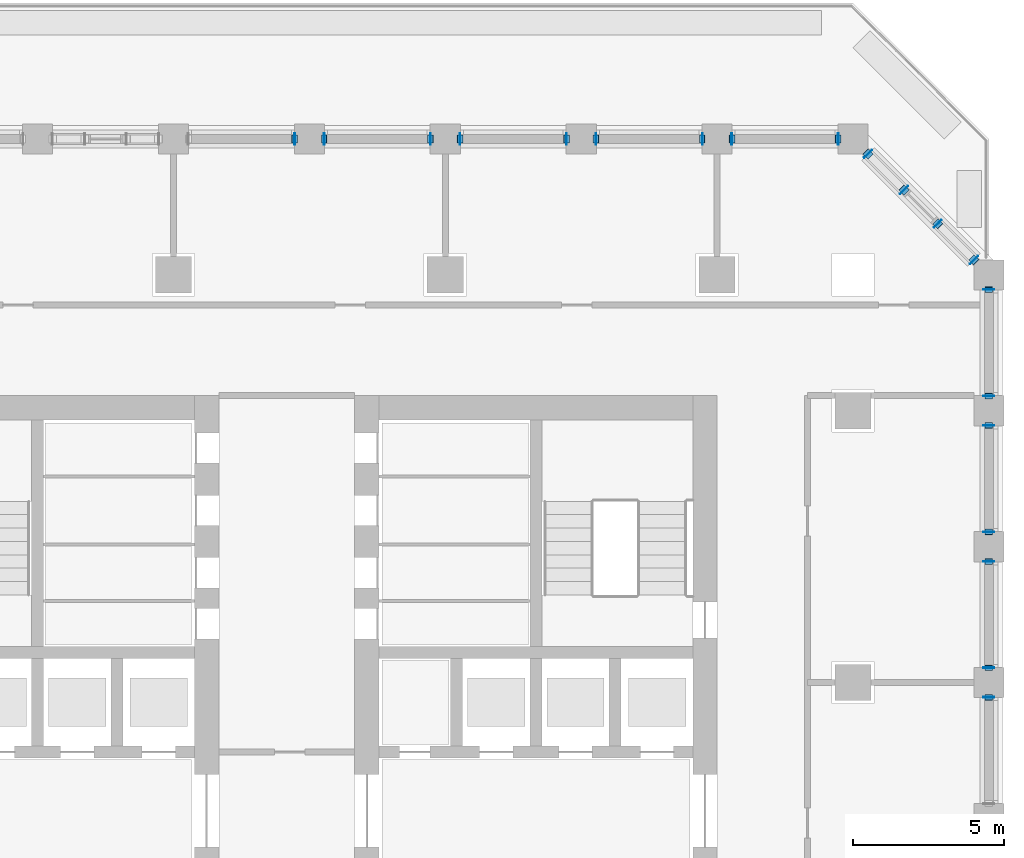
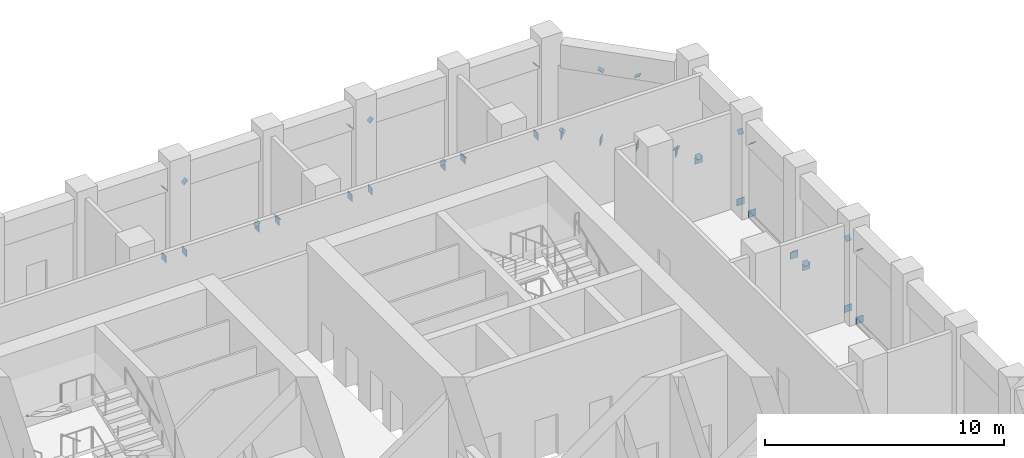
# One storey, part 12 of 20: 40 discrete accessories.
"""IFC4 building model written with IfcOpenShell, lengths in metres."""

import ifcopenshell
import ifcopenshell.guid

model = None  # the IFC model being written
_history = None  # IfcOwnerHistory: only IFC2X3 demands one
_inside = {}  # id of a spatial element -> (the spatial element, [elements in it])
_under = {}  # id of a project, library or spatial element -> (it, [spatial elements below it])
_declared = {}  # id of a project -> (the project, [libraries it declares])
_typed = {}  # id of a type object -> (the type object, [elements of that type])
_made_of = {}  # id of a material, layer set ... -> (it, [elements and type objects made of it])


def new_model(schema):
    """Start an empty IFC model of exactly this schema.

    Asked for "IFC4X3", IfcOpenShell would pick the latest addendum, in which some entities
    have other attributes; the version numbers below select the first issue.
    IFC2X3 requires an IfcOwnerHistory on every rooted entity: one is made here for all.
    """
    global model, _history
    if schema == "IFC4X3":
        model = ifcopenshell.file(schema_version=(4, 3, 0, 0))
    else:
        model = ifcopenshell.file(schema=schema)
    _inside.clear()
    _under.clear()
    _declared.clear()
    _typed.clear()
    _made_of.clear()
    _history = None
    if model.schema == "IFC2X3":
        org = make("IfcOrganization", Name="unknown")
        user = make(
            "IfcPersonAndOrganization",
            ThePerson=make("IfcPerson", FamilyName="unknown"),
            TheOrganization=org,
        )
        app = make(
            "IfcApplication",
            ApplicationDeveloper=org,
            Version="unknown",
            ApplicationFullName="unknown",
            ApplicationIdentifier="unknown",
        )
        _history = make(
            "IfcOwnerHistory",
            OwningUser=user,
            OwningApplication=app,
            ChangeAction="ADDED",
            CreationDate=0,
        )
    return model


def make(cls, **values):
    """One entity of the class cls with the attributes given. An attribute that is None is left unset."""
    return model.create_entity(
        cls, **{name: value for name, value in values.items() if value is not None}
    )


def rooted(cls, **values):
    """An entity with a GlobalId (a new one), such as an element, a storey or a relation."""
    return make(cls, GlobalId=ifcopenshell.guid.new(), OwnerHistory=_history, **values)


def si_unit(unit_type, name, prefix=None):
    """IfcSIUnit, for example si_unit("LENGTHUNIT", "METRE", prefix="MILLI")."""
    return make("IfcSIUnit", UnitType=unit_type, Prefix=prefix, Name=name)


def assignment(units):
    """IfcUnitAssignment: the units of a project."""
    return None if units is None else make("IfcUnitAssignment", Units=units)


def point(xyz):
    """IfcCartesianPoint."""
    return None if xyz is None else make("IfcCartesianPoint", Coordinates=xyz)


def direction(xyz):
    """IfcDirection."""
    return None if xyz is None else make("IfcDirection", DirectionRatios=xyz)


def frame(location, z_axis=None, x_axis=None):
    """IfcAxis2Placement3D, a coordinate frame: its origin and axes. An axis left out is left unset."""
    return make(
        "IfcAxis2Placement3D",
        Location=point(location),
        Axis=direction(z_axis),
        RefDirection=direction(x_axis),
    )


def frame_2d(location, x_axis=None):
    """IfcAxis2Placement2D, a coordinate frame in the plane: its origin and x axis."""
    return make(
        "IfcAxis2Placement2D", Location=point(location), RefDirection=direction(x_axis)
    )


def origin():
    """The frame at (0, 0, 0) with its axes left unset."""
    return frame((0.0, 0.0, 0.0))


def origin_2d():
    """The frame at (0, 0) in the plane with its x axis left unset."""
    return frame_2d((0.0, 0.0))


def place(relative_to, where):
    """IfcLocalPlacement: puts the frame where relative to a parent placement (None: the world)."""
    return make(
        "IfcLocalPlacement", PlacementRelTo=relative_to, RelativePlacement=where
    )


def context(
    kind, dimensions, precision=None, world=None, true_north=None, identifier=None
):
    """IfcGeometricRepresentationContext, for example the 3D "Model" context."""
    return make(
        "IfcGeometricRepresentationContext",
        ContextIdentifier=identifier,
        ContextType=kind,
        CoordinateSpaceDimension=dimensions,
        Precision=precision,
        WorldCoordinateSystem=world,
        TrueNorth=true_north,
    )


def subcontext(parent, identifier, kind, view, scale=None):
    """IfcGeometricRepresentationSubContext, for example "Body" below "Model"."""
    return make(
        "IfcGeometricRepresentationSubContext",
        ContextIdentifier=identifier,
        ContextType=kind,
        ParentContext=parent,
        TargetScale=scale,
        TargetView=view,
    )


def project(units=None, contexts=None):
    """IfcProject with its units and contexts."""
    return rooted(
        "IfcProject",
        Name="project",
        RepresentationContexts=contexts,
        UnitsInContext=assignment(units),
    )


def spatial(cls, under=None, at=None, **own):
    """A site, building, storey or space (cls), placed at a placement, below another one or the project."""
    s = rooted(cls, ObjectPlacement=at, **own)
    if under is not None:
        _under.setdefault(under.id(), (under, []))[1].append(s)
    return s


def profile(cls, at=None, kind="AREA", **sizes):
    """A parametric profile (cls). Its sizes go by their IFC names, for example OverallWidth=200.0."""
    return make(cls, ProfileType=kind, Position=at, **sizes)


def rectangle(**sizes):
    """IfcRectangleProfileDef."""
    return profile("IfcRectangleProfileDef", **sizes)


def extrude(swept, where, along, depth):
    """IfcExtrudedAreaSolid: the profile swept, set in the frame where, extruded along a direction by depth."""
    return make(
        "IfcExtrudedAreaSolid",
        SweptArea=swept,
        Position=where,
        ExtrudedDirection=direction(along),
        Depth=depth,
    )


def shape(context_of_items, identifier, shape_type, items):
    """IfcShapeRepresentation: the items that make up one representation, for example the "Body"."""
    return make(
        "IfcShapeRepresentation",
        ContextOfItems=context_of_items,
        RepresentationIdentifier=identifier,
        RepresentationType=shape_type,
        Items=items,
    )


def material(Name=None, Category=None):
    """IfcMaterial."""
    return make("IfcMaterial", Name=Name, Category=Category)


def material_profile(
    of_material, cross_section, Name=None, Category=None, Priority=None
):
    """IfcMaterialProfile: a cross section and its material."""
    return make(
        "IfcMaterialProfile",
        Name=Name,
        Material=of_material,
        Profile=cross_section,
        Priority=Priority,
        Category=Category,
    )


def profile_set(profiles, Name=None, composite=None):
    """IfcMaterialProfileSet."""
    return make(
        "IfcMaterialProfileSet",
        Name=Name,
        MaterialProfiles=profiles,
        CompositeProfile=composite,
    )


def made_of(thing, what):
    """Note that an element or type object is made of a material, layer set ...; save() writes the relation."""
    if what is not None:
        _made_of.setdefault(what.id(), (what, []))[1].append(thing)
    return thing


def type_object(cls, material=None, **own):
    """A type object (cls), such as IfcWallType, which elements share."""
    return made_of(rooted(cls, **own), material)


def element(
    cls,
    number,
    at=None,
    inside=None,
    cuts=None,
    type_object=None,
    material=None,
    context=None,
    identifier="Body",
    shape_type=None,
    held_by="IfcProductDefinitionShape",
    body=None,
    shapes=None,
    **own,
):
    """One element of the class cls, such as IfcWall. Its Tag is "e" and its number.

    at: its placement. inside: the storey or other place that contains it. cuts: it is an
    opening in that element (IfcRelVoidsElement). A single representation is given by context,
    identifier, shape_type and body (its items); several are given by shapes. held_by: the class
    of the entity that holds the representations. save() writes the other relations.
    """
    e = rooted(cls, Tag="e%d" % number, ObjectPlacement=at, **own)
    if body is not None:
        shapes = [shape(context, identifier, shape_type, body)]
    if shapes is not None:
        e.Representation = make(held_by, Representations=shapes)
    if inside is not None:
        _inside.setdefault(inside.id(), (inside, []))[1].append(e)
    if cuts is not None:
        rooted(
            "IfcRelVoidsElement", RelatingBuildingElement=cuts, RelatedOpeningElement=e
        )
    if type_object is not None:
        _typed.setdefault(type_object.id(), (type_object, []))[1].append(e)
    return made_of(e, material)


def aggregate(whole, parts):
    """IfcRelAggregates: a whole, such as a stair, and the parts it consists of."""
    return rooted("IfcRelAggregates", RelatingObject=whole, RelatedObjects=parts)


def save(model, path):
    """Write the relations noted so far, then the file.

    IfcRelAggregates (storeys below a building ...), IfcRelContainedInSpatialStructure (elements
    in a storey), IfcRelDefinesByType, IfcRelAssociatesMaterial and IfcRelDeclares: one each for
    every whole, place, type object, material and project.
    """
    for whole, parts in _under.values():
        aggregate(whole, parts)
    for where, things in _inside.values():
        rooted(
            "IfcRelContainedInSpatialStructure",
            RelatedElements=things,
            RelatingStructure=where,
        )
    for kind, things in _typed.values():
        rooted("IfcRelDefinesByType", RelatedObjects=things, RelatingType=kind)
    for what, things in _made_of.values():
        rooted("IfcRelAssociatesMaterial", RelatedObjects=things, RelatingMaterial=what)
    for by, libraries in _declared.values():
        rooted("IfcRelDeclares", RelatingContext=by, RelatedDefinitions=libraries)
    model.write(path)


model = new_model("IFC4")

# Units and contexts
model_context = context("Model", 3, precision=1e-05, world=origin(), true_north=direction((0.0, 1.0)))
body_context = subcontext(model_context, "Body", "Model", "MODEL_VIEW")
ifc_project = project(units=[si_unit("LENGTHUNIT", "METRE"), si_unit("AREAUNIT", "SQUARE_METRE"), si_unit("VOLUMEUNIT", "CUBIC_METRE"), si_unit("PLANEANGLEUNIT", "RADIAN"), si_unit("MASSUNIT", "GRAM", prefix="KILO")], contexts=[model_context])

# Site, building, storey
site_placement = place(None, origin())
site = spatial("IfcSite", under=ifc_project, at=site_placement, CompositionType="ELEMENT")
building_placement = place(site_placement, origin())
building = spatial("IfcBuilding", under=site, at=building_placement, Name="Corbel Stack Research Tower", CompositionType="ELEMENT")
storey_placement = place(building_placement, frame((0.0, 0.0, 151.39990234375)))
storey = spatial("IfcBuildingStorey", under=building, at=storey_placement, Name="L34", CompositionType="ELEMENT", Elevation=151.39990234375)

# Discrete accessories
ifc_material_1 = material(Name="Steel S355", Category="steel")
ifc_material_profile_1 = material_profile(ifc_material_1, rectangle(XDim=0.25390625, YDim=0.25390625, at=origin_2d()), Name="End plate 254x254x25")
ifc_profile_set_1 = profile_set([ifc_material_profile_1], Name="Steel S355")
discrete_accessory_type_1 = type_object("IfcDiscreteAccessoryType", Name="End plate 254x254x25", PredefinedType="ANCHORPLATE", material=ifc_profile_set_1)
for number, where, z_axis, x_axis, name in (
    (1, (27.0, 8.5, 3.75), (0.0, 0.711966448453, 0.702213483406), (-1.0, 0.0, 0.0), "Belt truss end plate L34-17d2"),
    (2, (27.0, 13.0, 0.356201171875), (0.0, 0.711966448453, -0.702213483406), (-1.0, 0.0, 0.0), "Belt truss end plate L34-18d1"),
    (3, (27.0, 9.5, 3.75), (0.0, -0.711966448453, 0.702213483406), (1.0, 0.0, 0.0), "Belt truss end plate L34-18d2"),
    (4, (27.0, 14.0, 0.356201171875), (0.0, -0.711966448453, -0.702213483406), (1.0, 0.0, 0.0), "Belt truss end plate L34-19d1"),
    (5, (27.0, 17.5, 3.75), (0.0, 0.711966448453, 0.702213483406), (-1.0, 0.0, 0.0), "Belt truss end plate L34-19d2"),
    (6, (27.0, 22.0, 0.356201171875), (0.0, 0.711966448453, -0.702213483406), (-1.0, 0.0, 0.0), "Belt truss end plate L34-20d1"),
    (7, (27.0, 18.5, 3.75), (0.0, -0.711966448453, 0.702213483406), (1.0, 0.0, 0.0), "Belt truss end plate L34-20d2"),
    (8, (26.5, 23.0, 0.356201171875), (0.312109725856, -0.312109725856, -0.897315461837), (0.707106781187, 0.707106781187, 0.0), "Belt truss end plate L34-21ad1"),
    (9, (25.315673828125, 24.184326171875, 3.75), (-0.312109725856, 0.312109725856, 0.897315461837), (-0.707106781187, -0.707106781187, 0.0), "Belt truss end plate L34-21ad2"),
    (10, (23.0, 26.5, 0.356201171875), (-0.312109725856, 0.312109725856, -0.897315461837), (-0.707106781187, -0.707106781187, 0.0), "Belt truss end plate L34-21bd1"),
    (11, (24.184326171875, 25.315673828125, 3.75), (0.312109725856, -0.312109725856, 0.897315461837), (0.707106781187, 0.707106781187, 0.0), "Belt truss end plate L34-21bd2"),
    (12, (18.5, 27.0, 0.356201171875), (-0.711966448453, 0.0, -0.702213483406), (0.0, -1.0, 0.0), "Belt truss end plate L34-22d1"),
    (13, (22.0, 27.0, 3.75), (0.711966448453, 0.0, 0.702213483406), (0.0, 1.0, 0.0), "Belt truss end plate L34-22d2"),
    (14, (17.5, 27.0, 0.356201171875), (0.711966448453, 0.0, -0.702213483406), (0.0, 1.0, 0.0), "Belt truss end plate L34-23d1"),
    (15, (14.0, 27.0, 3.75), (-0.711966448453, 0.0, 0.702213483406), (0.0, -1.0, 0.0), "Belt truss end plate L34-23d2"),
    (16, (9.5, 27.0, 0.356201171875), (-0.711966448453, 0.0, -0.702213483406), (0.0, -1.0, 0.0), "Belt truss end plate L34-24d1"),
    (17, (13.0, 27.0, 3.75), (0.711966448453, 0.0, 0.702213483406), (0.0, 1.0, 0.0), "Belt truss end plate L34-24d2"),
    (18, (8.5, 27.0, 0.356201171875), (0.711966448453, 0.0, -0.702213483406), (0.0, 1.0, 0.0), "Belt truss end plate L34-25d1"),
    (19, (5.0, 27.0, 3.75), (-0.711966448453, 0.0, 0.702213483406), (0.0, -1.0, 0.0), "Belt truss end plate L34-25d2"),
    (20, (4.0, 27.0, 3.75), (0.711966448453, 0.0, 0.702213483406), (0.0, 1.0, 0.0), "Belt truss end plate L34-26d2"),
):
    element("IfcDiscreteAccessory", number, at=place(storey_placement, frame(where, z_axis=z_axis, x_axis=x_axis)), inside=storey, type_object=discrete_accessory_type_1, Name=name, PredefinedType="ANCHORPLATE", context=body_context, shape_type="SweptSolid", body=[
        extrude(rectangle(XDim=0.25390625, YDim=0.25390625, at=origin_2d()), origin(), (0.0, 0.0, 1.0), 0.025146484375),
    ])
ifc_material_2 = material(Name="Steel S355", Category="steel")
ifc_material_profile_2 = material_profile(ifc_material_2, rectangle(XDim=0.368896484375, YDim=0.35595703125, at=origin_2d()), Name="End plate 369x356x25")
ifc_profile_set_2 = profile_set([ifc_material_profile_2], Name="Steel S355")
discrete_accessory_type_2 = type_object("IfcDiscreteAccessoryType", Name="End plate 369x356x25", PredefinedType="ANCHORPLATE", material=ifc_profile_set_2)
for number, where, z_axis, x_axis, name in (
    (21, (27.0, 8.5, 0.177978515625), (0.0, 1.0, 0.0), (-1.0, 0.0, 0.0), "Belt truss end plate L34-17c2"),
    (22, (27.0, 9.5, 0.177978515625), (0.0, -1.0, 0.0), (1.0, 0.0, 0.0), "Belt truss end plate L34-18c1"),
    (23, (27.0, 13.0, 0.177978515625), (0.0, 1.0, 0.0), (-1.0, 0.0, 0.0), "Belt truss end plate L34-18c2"),
    (24, (27.0, 14.0, 0.177978515625), (0.0, -1.0, 0.0), (1.0, 0.0, 0.0), "Belt truss end plate L34-19c1"),
    (25, (27.0, 17.5, 0.177978515625), (0.0, 1.0, 0.0), (-1.0, 0.0, 0.0), "Belt truss end plate L34-19c2"),
    (26, (27.0, 18.5, 0.177978515625), (0.0, -1.0, 0.0), (1.0, 0.0, 0.0), "Belt truss end plate L34-20c1"),
    (27, (27.0, 22.0, 0.177978515625), (0.0, 1.0, 0.0), (-1.0, 0.0, 0.0), "Belt truss end plate L34-20c2"),
    (28, (26.5, 23.0, 0.177978515625), (0.707106781187, -0.707106781187, 0.0), (0.707106781187, 0.707106781187, 0.0), "Belt truss end plate L34-21ac1"),
    (29, (25.315673828125, 24.184326171875, 0.177978515625), (-0.707106781187, 0.707106781187, 0.0), (-0.707106781187, -0.707106781187, 0.0), "Belt truss end plate L34-21ac2"),
    (30, (24.184326171875, 25.315673828125, 0.177978515625), (0.707106781187, -0.707106781187, 0.0), (0.707106781187, 0.707106781187, 0.0), "Belt truss end plate L34-21bc1"),
    (31, (23.0, 26.5, 0.177978515625), (-0.707106781187, 0.707106781187, 0.0), (-0.707106781187, -0.707106781187, 0.0), "Belt truss end plate L34-21bc2"),
    (32, (22.0, 27.0, 0.177978515625), (1.0, 0.0, 0.0), (0.0, 1.0, 0.0), "Belt truss end plate L34-22c1"),
    (33, (18.5, 27.0, 0.177978515625), (-1.0, 0.0, 0.0), (0.0, -1.0, 0.0), "Belt truss end plate L34-22c2"),
    (34, (17.5, 27.0, 0.177978515625), (1.0, 0.0, 0.0), (0.0, 1.0, 0.0), "Belt truss end plate L34-23c1"),
    (35, (14.0, 27.0, 0.177978515625), (-1.0, 0.0, 0.0), (0.0, -1.0, 0.0), "Belt truss end plate L34-23c2"),
    (36, (13.0, 27.0, 0.177978515625), (1.0, 0.0, 0.0), (0.0, 1.0, 0.0), "Belt truss end plate L34-24c1"),
    (37, (9.5, 27.0, 0.177978515625), (-1.0, 0.0, 0.0), (0.0, -1.0, 0.0), "Belt truss end plate L34-24c2"),
    (38, (8.5, 27.0, 0.177978515625), (1.0, 0.0, 0.0), (0.0, 1.0, 0.0), "Belt truss end plate L34-25c1"),
    (39, (5.0, 27.0, 0.177978515625), (-1.0, 0.0, 0.0), (0.0, -1.0, 0.0), "Belt truss end plate L34-25c2"),
    (40, (4.0, 27.0, 0.177978515625), (1.0, 0.0, 0.0), (0.0, 1.0, 0.0), "Belt truss end plate L34-26c1"),
):
    element("IfcDiscreteAccessory", number, at=place(storey_placement, frame(where, z_axis=z_axis, x_axis=x_axis)), inside=storey, type_object=discrete_accessory_type_2, Name=name, PredefinedType="ANCHORPLATE", context=body_context, shape_type="SweptSolid", body=[
        extrude(rectangle(XDim=0.368896484375, YDim=0.35595703125, at=origin_2d()), origin(), (0.0, 0.0, 1.0), 0.02490234375),
    ])

save(model, "model.ifc")
